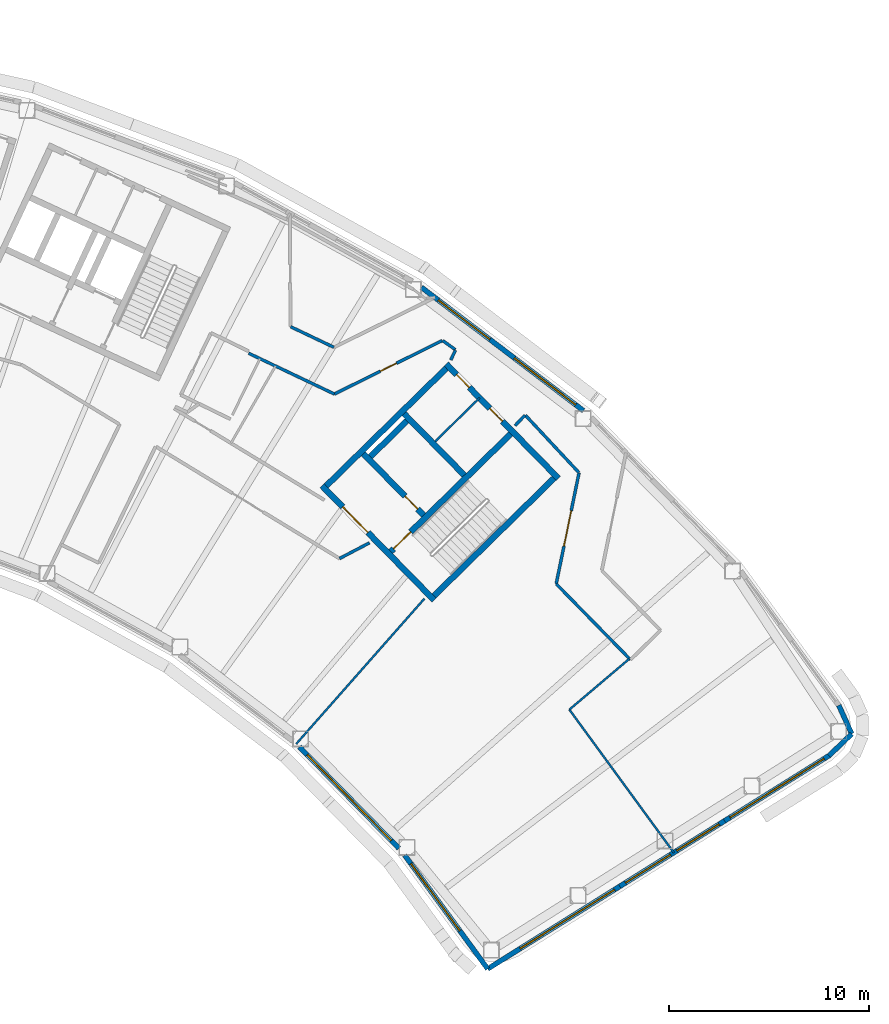
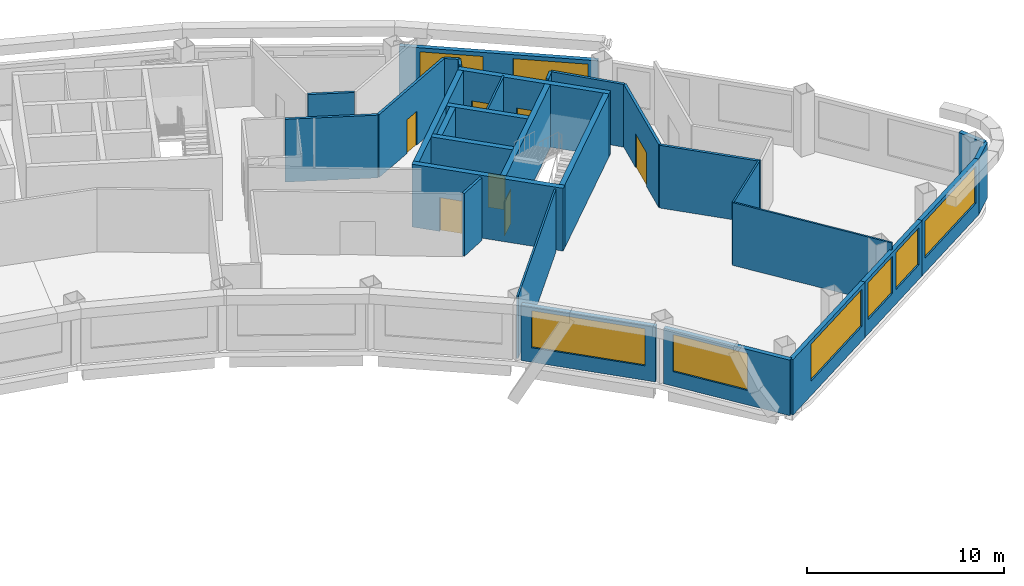
# One storey, part 8 of 13: 30 walls, 8 windows, 7 doors, 15 openings.
"""IFC4 building model written with IfcOpenShell, lengths in metres."""

from ifc_helpers import new_model, si_unit, direction, frame, frame_2d, origin, place, context, subcontext, project, spatial, rectangle, extrude, material, layer, layer_set, type_object, element, fill, save


model = new_model("IFC4")

# Units and contexts
model_context = context("Model", 3, precision=1e-05, world=origin(), true_north=direction((0.0, 1.0)))
body_context = subcontext(model_context, "Body", "Model", "MODEL_VIEW")
ifc_project = project(units=[si_unit("LENGTHUNIT", "METRE"), si_unit("AREAUNIT", "SQUARE_METRE"), si_unit("VOLUMEUNIT", "CUBIC_METRE"), si_unit("PLANEANGLEUNIT", "RADIAN"), si_unit("MASSUNIT", "GRAM", prefix="KILO")], contexts=[model_context])

# Site, building, storey
site_placement = place(None, origin())
site = spatial("IfcSite", under=ifc_project, at=site_placement, CompositionType="ELEMENT")
building_placement = place(site_placement, origin())
building = spatial("IfcBuilding", under=site, at=building_placement, Name="Tuul Gate Civic Tower", CompositionType="ELEMENT")
storey_placement = place(building_placement, frame((0.0, 0.0, 306.800048828125)))
storey = spatial("IfcBuildingStorey", under=building, at=storey_placement, Name="Level 69", CompositionType="ELEMENT", Elevation=306.800048828125)

# Wall, opening, door
ifc_material_1 = material(Name="Concrete C50/60", Category="concrete")
ifc_layer_1 = layer(ifc_material_1, 0.300048828125)
ifc_layer_set_1 = layer_set([ifc_layer_1], Name="Concrete C50/60")
wall_type_1 = type_object("IfcWallType", Name="Core wall C50/60", PredefinedType="SHEAR", material=ifc_layer_set_1)
wall_1_placement = place(storey_placement, frame((48.22509765625, -18.327880859375, 0.0), z_axis=(0.0, 0.0, 1.0), x_axis=(-0.700021979774, 0.714121297703, 0.0)))
wall_1 = element("IfcWall", 1, at=wall_1_placement, inside=storey, type_object=wall_type_1, Name="Core wall", PredefinedType="SHEAR", context=body_context, shape_type="SweptSolid", body=[
    extrude(rectangle(XDim=8.0, YDim=0.300048828125, at=frame_2d((4.0, 0.0))), origin(), (0.0, 0.0, 1.0), 3.89990234375),
])
opening_1_placement = place(wall_1_placement, frame((4.72509765625, 0.0, 0.0)))
opening_1 = element("IfcOpeningElement", 2, at=opening_1_placement, cuts=wall_1, Name="Opening LB-E1-LOBBY-1", PredefinedType="OPENING", context=body_context, shape_type="SweptSolid", body=[
    extrude(rectangle(XDim=1.800048828125, YDim=2.10009765625, at=frame_2d((0.89990234375, 1.050048828125))), frame((0.0, 0.16015625, 0.0), z_axis=(0.0, -1.0, 0.0), x_axis=(1.0, 0.0, 0.0)), (0.0, 0.0, 1.0), 0.320068359375),
])
ifc_material_2 = material(Name="Steel", Category="steel")
door_type_1 = type_object("IfcDoorType", Name="Lobby door", OperationType="DOUBLE_DOOR_SINGLE_SWING", PredefinedType="DOOR", material=ifc_material_2)
door_1_placement = place(opening_1_placement, frame((1.800048828125, 0.0, 0.0), z_axis=(0.0, 0.0, 1.0), x_axis=(-1.0, 0.0, 0.0)))
door_1 = element("IfcDoor", 3, at=door_1_placement, inside=storey, type_object=door_type_1, Name="Lobby door E1-LOBBY", OperationType="DOUBLE_DOOR_SINGLE_SWING", OverallHeight=2.10009765625, OverallWidth=1.800048828125, PredefinedType="DOOR", context=body_context, shape_type="SweptSolid", body=[
    extrude(rectangle(XDim=1.800048828125, YDim=2.10009765625, at=frame_2d((0.900146484375, 1.050048828125))), frame((0.0, 0.02490234375, 0.0), z_axis=(0.0, -1.0, 0.0), x_axis=(1.0, 0.0, 0.0)), (0.0, 0.0, 1.0), 0.050048828125),
])
fill(opening_1, door_1)

wall_2_placement = place(storey_placement, frame((47.701904296875, -14.079833984375, 0.0), z_axis=(0.0, 0.0, 1.0), x_axis=(-0.700002721075, 0.714140175657, 0.0)))
wall_2 = element("IfcWall", 4, at=wall_2_placement, inside=storey, type_object=wall_type_1, Name="Core wall", PredefinedType="SHEAR", context=body_context, shape_type="SweptSolid", body=[
    extrude(rectangle(XDim=4.300048828125, YDim=0.300048828125, at=frame_2d((2.14990234375, 0.0))), origin(), (0.0, 0.0, 1.0), 3.89990234375),
])
opening_2_placement = place(wall_2_placement, frame((0.425048828125, 0.0, 0.0)))
opening_2 = element("IfcOpeningElement", 5, at=opening_2_placement, cuts=wall_2, Name="Opening FB-E1A1", PredefinedType="OPENING", context=body_context, shape_type="SweptSolid", body=[
    extrude(rectangle(XDim=0.89990234375, YDim=2.10009765625, at=frame_2d((0.449951171875, 1.050048828125))), frame((0.0, 0.16015625, 0.0), z_axis=(0.0, -1.0, 0.0), x_axis=(1.0, 0.0, 0.0)), (0.0, 0.0, 1.0), 0.320068359375),
])
ifc_material_3 = material(Name="Steel", Category="steel")
door_type_2 = type_object("IfcDoorType", Name="Store door", OperationType="NOTDEFINED", PredefinedType="DOOR", material=ifc_material_3)
door_2_placement = place(opening_2_placement, frame((0.89990234375, 0.0, 0.0), z_axis=(0.0, 0.0, 1.0), x_axis=(-1.0, 0.0, 0.0)))
door_2 = element("IfcDoor", 6, at=door_2_placement, inside=storey, type_object=door_type_2, Name="Store door E1A1", OperationType="SINGLE_SWING_RIGHT", OverallHeight=2.10009765625, OverallWidth=0.89990234375, PredefinedType="DOOR", context=body_context, shape_type="SweptSolid", body=[
    extrude(rectangle(XDim=0.89990234375, YDim=2.10009765625, at=frame_2d((0.449951171875, 1.050048828125))), frame((0.0, 0.02490234375, 0.0), z_axis=(0.0, -1.0, 0.0), x_axis=(1.0, 0.0, 0.0)), (0.0, 0.0, 1.0), 0.050048828125),
])
fill(opening_2, door_2)

# Wall
wall_3_placement = place(storey_placement, frame((49.737060546875, -12.0849609375, 0.0), z_axis=(0.0, 0.0, 1.0), x_axis=(-0.700002721075, 0.714140175657, 0.0)))
element("IfcWall", 7, at=wall_3_placement, inside=storey, type_object=wall_type_1, Name="Core wall", PredefinedType="SHEAR", context=body_context, shape_type="SweptSolid", body=[
    extrude(rectangle(XDim=4.300048828125, YDim=0.300048828125, at=frame_2d((2.14990234375, 0.0))), origin(), (0.0, 0.0, 1.0), 3.89990234375),
])

# Wall, openings, doors
wall_4_placement = place(storey_placement, frame((54.43798828125, -12.23779296875, 0.0), z_axis=(0.0, 0.0, 1.0), x_axis=(-0.700021979774, 0.714121297703, 0.0)))
wall_4 = element("IfcWall", 8, at=wall_4_placement, inside=storey, type_object=wall_type_1, Name="Core wall", PredefinedType="SHEAR", context=body_context, shape_type="SweptSolid", body=[
    extrude(rectangle(XDim=8.0, YDim=0.300048828125, at=frame_2d((4.0, 0.0))), origin(), (0.0, 0.0, 1.0), 3.89990234375),
])
opening_3_placement = place(wall_4_placement, frame((3.987548828125, 0.0, 0.0)))
opening_3 = element("IfcOpeningElement", 9, at=opening_3_placement, cuts=wall_4, Name="Opening Z-D16", PredefinedType="OPENING", context=body_context, shape_type="SweptSolid", body=[
    extrude(rectangle(XDim=0.89990234375, YDim=2.10009765625, at=frame_2d((0.449951171875, 1.050048828125))), frame((0.0, 0.16015625, 0.0), z_axis=(0.0, -1.0, 0.0), x_axis=(1.0, 0.0, 0.0)), (0.0, 0.0, 1.0), 0.320068359375),
])
opening_4_placement = place(wall_4_placement, frame((6.362548828125, 0.0, 0.0)))
opening_4 = element("IfcOpeningElement", 10, at=opening_4_placement, cuts=wall_4, Name="Opening Z-D17", PredefinedType="OPENING", context=body_context, shape_type="SweptSolid", body=[
    extrude(rectangle(XDim=0.89990234375, YDim=2.10009765625, at=frame_2d((0.449951171875, 1.050048828125))), frame((0.0, 0.16015625, 0.0), z_axis=(0.0, -1.0, 0.0), x_axis=(1.0, 0.0, 0.0)), (0.0, 0.0, 1.0), 0.320068359375),
])
ifc_material_4 = material(Name="Timber door leaf", Category="wood")
door_type_3 = type_object("IfcDoorType", Name="Door D09", OperationType="NOTDEFINED", PredefinedType="DOOR", material=ifc_material_4)
door_3_placement = place(opening_3_placement, origin())
door_3 = element("IfcDoor", 11, at=door_3_placement, inside=storey, type_object=door_type_3, Name="Door Z-D16", OperationType="SINGLE_SWING_LEFT", OverallHeight=2.10009765625, OverallWidth=0.89990234375, PredefinedType="DOOR", context=body_context, shape_type="SweptSolid", body=[
    extrude(rectangle(XDim=0.89990234375, YDim=2.10009765625, at=frame_2d((0.449951171875, 1.050048828125))), frame((0.0, 0.02490234375, 0.0), z_axis=(0.0, -1.0, 0.0), x_axis=(1.0, 0.0, 0.0)), (0.0, 0.0, 1.0), 0.050048828125),
])
fill(opening_3, door_3)
door_4_placement = place(opening_4_placement, origin())
door_4 = element("IfcDoor", 12, at=door_4_placement, inside=storey, type_object=door_type_3, Name="Door Z-D17", OperationType="SINGLE_SWING_LEFT", OverallHeight=2.10009765625, OverallWidth=0.89990234375, PredefinedType="DOOR", context=body_context, shape_type="SweptSolid", body=[
    extrude(rectangle(XDim=0.89990234375, YDim=2.10009765625, at=frame_2d((0.449951171875, 1.050048828125))), frame((0.0, 0.02490234375, 0.0), z_axis=(0.0, -1.0, 0.0), x_axis=(1.0, 0.0, 0.0)), (0.0, 0.0, 1.0), 0.050048828125),
])
fill(opening_4, door_4)

# Wall
wall_5_placement = place(storey_placement, frame((48.227294921875, -18.115966796875, 0.0), z_axis=(0.0, 0.0, 1.0), x_axis=(0.714105315431, 0.700038283577, 0.0)))
element("IfcWall", 13, at=wall_5_placement, inside=storey, type_object=wall_type_1, Name="Core wall", PredefinedType="SHEAR", context=body_context, shape_type="SweptSolid", body=[
    extrude(rectangle(XDim=8.400146484375, YDim=0.300048828125, at=frame_2d((4.2001953125, 0.0))), origin(), (0.0, 0.0, 1.0), 3.89990234375),
])

# Wall, opening, door
wall_6_placement = place(storey_placement, frame((46.05712890625, -15.902099609375, 0.0), z_axis=(0.0, 0.0, 1.0), x_axis=(0.714134086973, 0.700008932674, 0.0)))
wall_6 = element("IfcWall", 14, at=wall_6_placement, inside=storey, type_object=wall_type_1, Name="Core wall", PredefinedType="SHEAR", context=body_context, shape_type="SweptSolid", body=[
    extrude(rectangle(XDim=8.400146484375, YDim=0.300048828125, at=frame_2d((4.2001953125, 0.0))), origin(), (0.0, 0.0, 1.0), 3.89990234375),
])
opening_5_placement = place(wall_6_placement, frame((0.199951171875, 0.0, 0.0)))
opening_5 = element("IfcOpeningElement", 15, at=opening_5_placement, cuts=wall_6, Name="Opening SD-ST-3", PredefinedType="OPENING", context=body_context, shape_type="SweptSolid", body=[
    extrude(rectangle(XDim=1.199951171875, YDim=2.10009765625, at=frame_2d((0.60009765625, 1.050048828125))), frame((0.0, 0.16015625, 0.0), z_axis=(0.0, -1.0, 0.0), x_axis=(1.0, 0.0, 0.0)), (0.0, 0.0, 1.0), 0.320068359375),
])
ifc_material_5 = material(Name="Steel", Category="steel")
door_type_4 = type_object("IfcDoorType", Name="Stair door", OperationType="NOTDEFINED", PredefinedType="DOOR", material=ifc_material_5)
door_5_placement = place(opening_5_placement, origin())
door_5 = element("IfcDoor", 16, at=door_5_placement, inside=storey, type_object=door_type_4, Name="Stair door ST-3", OperationType="SINGLE_SWING_LEFT", OverallHeight=2.10009765625, OverallWidth=1.199951171875, PredefinedType="DOOR", context=body_context, shape_type="SweptSolid", body=[
    extrude(rectangle(XDim=1.199951171875, YDim=2.10009765625, at=frame_2d((0.60009765625, 1.050048828125))), frame((0.0, 0.02490234375, 0.0), z_axis=(0.0, -1.0, 0.0), x_axis=(1.0, 0.0, 0.0)), (0.0, 0.0, 1.0), 0.050048828125),
])
fill(opening_5, door_5)

# Walls
wall_7_placement = place(storey_placement, frame((45.0439453125, -11.154052734375, 0.0), z_axis=(0.0, 0.0, 1.0), x_axis=(0.714108498262, 0.700035036773, 0.0)))
element("IfcWall", 17, at=wall_7_placement, inside=storey, type_object=wall_type_1, Name="Core wall", PredefinedType="SHEAR", context=body_context, shape_type="SweptSolid", body=[
    extrude(rectangle(XDim=2.550048828125, YDim=0.300048828125, at=frame_2d((1.27490234375, 0.0))), origin(), (0.0, 0.0, 1.0), 3.89990234375),
])
wall_8_placement = place(storey_placement, frame((42.837158203125, -12.616943359375, 0.0), z_axis=(0.0, 0.0, 1.0), x_axis=(0.714119844755, 0.700023461983, 0.0)))
element("IfcWall", 18, at=wall_8_placement, inside=storey, type_object=wall_type_1, Name="Core wall", PredefinedType="SHEAR", context=body_context, shape_type="SweptSolid", body=[
    extrude(rectangle(XDim=8.39990234375, YDim=0.300048828125, at=frame_2d((4.199951171875, 0.0))), origin(), (0.0, 0.0, 1.0), 3.89990234375),
])
ifc_material_6 = material(Name="Gypsum board partition")
ifc_layer_2 = layer(ifc_material_6, 0.14990234375)
ifc_layer_set_2 = layer_set([ifc_layer_2], Name="Gypsum board partition")
wall_type_2 = type_object("IfcWallType", Name="Corridor wall P150", PredefinedType="PARTITIONING", material=ifc_layer_set_2)
wall_9_placement = place(storey_placement, frame((54.33251953125, -17.521240234375, 0.0), z_axis=(0.0, 0.0, 1.0), x_axis=(0.700016264069, -0.714126900515, 0.0)))
element("IfcWall", 19, at=wall_9_placement, inside=storey, type_object=wall_type_2, Name="p003", PredefinedType="PARTITIONING", context=body_context, shape_type="SweptSolid", body=[
    extrude(rectangle(XDim=5.311767578125, YDim=0.14990234375, at=frame_2d((2.65576171875, 0.0))), origin(), (0.0, 0.0, 1.0), 3.89990234375),
])
wall_10_placement = place(storey_placement, frame((41.05419921875, -4.66064453125, 0.0), z_axis=(0.0, 0.0, 1.0), x_axis=(0.90300403406, -0.429632068718, 0.0)))
element("IfcWall", 20, at=wall_10_placement, inside=storey, type_object=wall_type_2, Name="p009", PredefinedType="PARTITIONING", context=body_context, shape_type="SweptSolid", body=[
    extrude(rectangle(XDim=2.388916015625, YDim=0.14990234375, at=frame_2d((1.1943359375, 0.0))), origin(), (0.0, 0.0, 1.0), 3.89990234375),
])
wall_11_placement = place(storey_placement, frame((52.277099609375, -9.60498046875, 0.0), z_axis=(0.0, 0.0, 1.0), x_axis=(0.690092053867, 0.723721601992, 0.0)))
element("IfcWall", 21, at=wall_11_placement, inside=storey, type_object=wall_type_2, Name="p025", PredefinedType="PARTITIONING", context=body_context, shape_type="SweptSolid", body=[
    extrude(rectangle(XDim=0.71142578125, YDim=0.14990234375, at=frame_2d((0.355712890625, 0.0))), origin(), (0.0, 0.0, 1.0), 3.89990234375),
])
wall_12_placement = place(storey_placement, frame((52.793701171875, -9.0869140625, 0.0), z_axis=(0.0, 0.0, 1.0), x_axis=(0.682154101609, -0.731208439268, 0.0)))
element("IfcWall", 22, at=wall_12_placement, inside=storey, type_object=wall_type_2, Name="p026", PredefinedType="PARTITIONING", context=body_context, shape_type="SweptSolid", body=[
    extrude(rectangle(XDim=3.921875, YDim=0.14990234375, at=frame_2d((1.9609375, 0.0))), origin(), (0.0, 0.0, 1.0), 3.89990234375),
])

# Wall, opening, door
wall_13_placement = place(storey_placement, frame((54.33251953125, -17.521240234375, 0.0), z_axis=(0.0, 0.0, 1.0), x_axis=(0.201533742517, 0.979481572378, 0.0)))
wall_13 = element("IfcWall", 23, at=wall_13_placement, inside=storey, type_object=wall_type_2, Name="p027", PredefinedType="PARTITIONING", context=body_context, shape_type="SweptSolid", body=[
    extrude(rectangle(XDim=5.66455078125, YDim=0.14990234375, at=frame_2d((2.832275390625, 0.0))), origin(), (0.0, 0.0, 1.0), 3.89990234375),
])
opening_6_placement = place(wall_13_placement, frame((1.932373046875, 0.0, 0.0)))
opening_6 = element("IfcOpeningElement", 24, at=opening_6_placement, cuts=wall_13, Name="Opening Z-D05", PredefinedType="OPENING", context=body_context, shape_type="SweptSolid", body=[
    extrude(rectangle(XDim=1.800048828125, YDim=2.10009765625, at=frame_2d((0.89990234375, 1.050048828125))), frame((0.0, 0.0849609375, 0.0), z_axis=(0.0, -1.0, 0.0), x_axis=(1.0, 0.0, 0.0)), (0.0, 0.0, 1.0), 0.169921875),
])
ifc_material_7 = material(Name="Timber door leaf, double", Category="wood")
door_type_5 = type_object("IfcDoorType", Name="Door D18", OperationType="DOUBLE_DOOR_SINGLE_SWING", PredefinedType="DOOR", material=ifc_material_7)
door_6_placement = place(opening_6_placement, origin())
door_6 = element("IfcDoor", 25, at=door_6_placement, inside=storey, type_object=door_type_5, Name="Door Z-D05", OperationType="DOUBLE_DOOR_SINGLE_SWING", OverallHeight=2.10009765625, OverallWidth=1.800048828125, PredefinedType="DOOR", context=body_context, shape_type="SweptSolid", body=[
    extrude(rectangle(XDim=1.800048828125, YDim=2.10009765625, at=frame_2d((0.89990234375, 1.050048828125))), frame((0.0, 0.02490234375, 0.0), z_axis=(0.0, -1.0, 0.0), x_axis=(1.0, 0.0, 0.0)), (0.0, 0.0, 1.0), 0.050048828125),
])
fill(opening_6, door_6)

# Walls
wall_14_placement = place(storey_placement, frame((43.5, -16.251708984375, 0.0), z_axis=(0.0, 0.0, 1.0), x_axis=(0.885571552958, 0.464502986634, 0.0)))
element("IfcWall", 26, at=wall_14_placement, inside=storey, type_object=wall_type_2, Name="p035", PredefinedType="PARTITIONING", context=body_context, shape_type="SweptSolid", body=[
    extrude(rectangle(XDim=1.69189453125, YDim=0.14990234375, at=frame_2d((0.845947265625, 0.0))), origin(), (0.0, 0.0, 1.0), 3.89990234375),
])
wall_15_placement = place(storey_placement, frame((38.94873046875, -5.984619140625, 0.0), z_axis=(0.0, 0.0, 1.0), x_axis=(0.903011478969, -0.429616420602, 0.0)))
element("IfcWall", 27, at=wall_15_placement, inside=storey, type_object=wall_type_2, Name="p072", PredefinedType="PARTITIONING", context=body_context, shape_type="SweptSolid", body=[
    extrude(rectangle(XDim=4.75146484375, YDim=0.14990234375, at=frame_2d((2.375732421875, 0.0))), origin(), (0.0, 0.0, 1.0), 3.89990234375),
])

# Wall, opening, door
wall_16_placement = place(storey_placement, frame((43.2392578125, -8.02587890625, 0.0), z_axis=(0.0, 0.0, 1.0), x_axis=(0.896073728546, 0.443905252289, 0.0)))
wall_16 = element("IfcWall", 28, at=wall_16_placement, inside=storey, type_object=wall_type_2, Name="p073", PredefinedType="PARTITIONING", context=body_context, shape_type="SweptSolid", body=[
    extrude(rectangle(XDim=6.02734375, YDim=0.14990234375, at=frame_2d((3.013671875, 0.0))), origin(), (0.0, 0.0, 1.0), 3.89990234375),
])
opening_7_placement = place(wall_16_placement, frame((2.563720703125, 0.0, 0.0)))
opening_7 = element("IfcOpeningElement", 29, at=opening_7_placement, cuts=wall_16, Name="Opening Z-D11", PredefinedType="OPENING", context=body_context, shape_type="SweptSolid", body=[
    extrude(rectangle(XDim=0.89990234375, YDim=2.10009765625, at=frame_2d((0.449951171875, 1.050048828125))), frame((0.0, 0.0849609375, 0.0), z_axis=(0.0, -1.0, 0.0), x_axis=(1.0, 0.0, 0.0)), (0.0, 0.0, 1.0), 0.169921875),
])
door_7_placement = place(opening_7_placement, frame((0.89990234375, 0.0, 0.0), z_axis=(0.0, 0.0, 1.0), x_axis=(-1.0, 0.0, 0.0)))
door_7 = element("IfcDoor", 30, at=door_7_placement, inside=storey, type_object=door_type_3, Name="Door Z-D11", OperationType="SINGLE_SWING_LEFT", OverallHeight=2.10009765625, OverallWidth=0.89990234375, PredefinedType="DOOR", context=body_context, shape_type="SweptSolid", body=[
    extrude(rectangle(XDim=0.89990234375, YDim=2.10009765625, at=frame_2d((0.449951171875, 1.050048828125))), frame((0.0, 0.02490234375, 0.0), z_axis=(0.0, -1.0, 0.0), x_axis=(1.0, 0.0, 0.0)), (0.0, 0.0, 1.0), 0.050048828125),
])
fill(opening_7, door_7)

# Walls
wall_17_placement = place(storey_placement, frame((48.658203125, -5.353515625, 0.0), z_axis=(0.0, 0.0, 1.0), x_axis=(0.811093197779, -0.584916938135, 0.0)))
element("IfcWall", 31, at=wall_17_placement, inside=storey, type_object=wall_type_2, Name="p074", PredefinedType="PARTITIONING", context=body_context, shape_type="SweptSolid", body=[
    extrude(rectangle(XDim=0.777099609375, YDim=0.14990234375, at=frame_2d((0.388671875, 0.0))), origin(), (0.0, 0.0, 1.0), 3.89990234375),
])
wall_18_placement = place(storey_placement, frame((49.062255859375, -6.325439453125, 0.0), z_axis=(0.0, 0.0, 1.0), x_axis=(0.427912804377, 0.903820021824, 0.0)))
element("IfcWall", 32, at=wall_18_placement, inside=storey, type_object=wall_type_2, Name="p075", PredefinedType="PARTITIONING", context=body_context, shape_type="SweptSolid", body=[
    extrude(rectangle(XDim=0.544189453125, YDim=0.14990234375, at=frame_2d((0.27197265625, 0.0))), origin(), (0.0, 0.0, 1.0), 3.89990234375),
])
ifc_material_8 = material(Name="Precast concrete C40/50", Category="concrete")
ifc_layer_3 = layer(ifc_material_8, 0.25)
ifc_layer_set_3 = layer_set([ifc_layer_3], Name="Precast concrete C40/50")
wall_type_3 = type_object("IfcWallType", Name="External wall", PredefinedType="STANDARD", material=ifc_layer_set_3)
wall_19_placement = place(storey_placement, frame((67.978515625, -26.109619140625, 0.0), z_axis=(0.0, 0.0, 1.0), x_axis=(0.722172557321, 0.691712944402, 0.0)))
element("IfcWall", 33, at=wall_19_placement, inside=storey, type_object=wall_type_3, Name="External wall", PredefinedType="STANDARD", context=body_context, shape_type="SweptSolid", body=[
    extrude(rectangle(XDim=1.571044921875, YDim=0.25, at=frame_2d((0.78564453125, 0.0))), origin(), (0.0, 0.0, 1.0), 3.449951171875),
])
wall_20_placement = place(storey_placement, frame((69.113037109375, -25.02294921875, 0.0), z_axis=(0.0, 0.0, 1.0), x_axis=(-0.412385905797, 0.9110092561, 0.0)))
element("IfcWall", 34, at=wall_20_placement, inside=storey, type_object=wall_type_3, Name="External wall", PredefinedType="STANDARD", context=body_context, shape_type="SweptSolid", body=[
    extrude(rectangle(XDim=1.5712890625, YDim=0.25, at=frame_2d((0.78564453125, 0.0))), origin(), (0.0, 0.0, 1.0), 3.449951171875),
])

# Wall, openings, windows
wall_21_placement = place(storey_placement, frame((55.6962890625, -8.85888671875, 0.0), z_axis=(0.0, 0.0, 1.0), x_axis=(-0.795610476584, 0.605808525485, 0.0)))
wall_21 = element("IfcWall", 35, at=wall_21_placement, inside=storey, type_object=wall_type_3, Name="External wall", PredefinedType="STANDARD", context=body_context, shape_type="SweptSolid", body=[
    extrude(rectangle(XDim=10.1875, YDim=0.25, at=frame_2d((5.09375, 0.0))), origin(), (0.0, 0.0, 1.0), 3.449951171875),
])
opening_8_placement = place(wall_21_placement, frame((0.494140625, 0.0, 0.89990234375)))
opening_8 = element("IfcOpeningElement", 36, at=opening_8_placement, cuts=wall_21, Name="Opening W22", PredefinedType="OPENING", context=body_context, shape_type="SweptSolid", body=[
    extrude(rectangle(XDim=3.85009765625, YDim=2.300048828125, at=frame_2d((1.925048828125, 1.14990234375))), frame((0.0, 0.135009765625, 0.0), z_axis=(0.0, -1.0, 0.0), x_axis=(1.0, 0.0, 0.0)), (0.0, 0.0, 1.0), 0.27001953125),
])
opening_9_placement = place(wall_21_placement, frame((5.880859375, 0.0, 0.89990234375)))
opening_9 = element("IfcOpeningElement", 37, at=opening_9_placement, cuts=wall_21, Name="Opening W72", PredefinedType="OPENING", context=body_context, shape_type="SweptSolid", body=[
    extrude(rectangle(XDim=3.25, YDim=2.300048828125, at=frame_2d((1.625, 1.14990234375))), frame((0.0, 0.135009765625, 0.0), z_axis=(0.0, -1.0, 0.0), x_axis=(1.0, 0.0, 0.0)), (0.0, 0.0, 1.0), 0.27001953125),
])
ifc_material_9 = material(Name="Glass", Category="glass")
window_type_1 = type_object("IfcWindowType", Name="Window 3250 x 2300", PartitioningType="SINGLE_PANEL", PredefinedType="WINDOW", material=ifc_material_9)
window_1_placement = place(opening_9_placement, origin())
window_1 = element("IfcWindow", 38, at=window_1_placement, inside=storey, type_object=window_type_1, Name="Window", OverallHeight=2.300048828125, OverallWidth=3.25, PartitioningType="SINGLE_PANEL", PredefinedType="WINDOW", context=body_context, shape_type="SweptSolid", body=[
    extrude(rectangle(XDim=3.25, YDim=2.300048828125, at=frame_2d((1.625, 1.14990234375))), frame((0.0, 0.030029296875, 0.0), z_axis=(0.0, -1.0, 0.0), x_axis=(1.0, 0.0, 0.0)), (0.0, 0.0, 1.0), 0.06005859375),
])
fill(opening_9, window_1)
ifc_material_10 = material(Name="Glass", Category="glass")
window_type_2 = type_object("IfcWindowType", Name="Window W22 3850 x 2300", PartitioningType="SINGLE_PANEL", PredefinedType="WINDOW", material=ifc_material_10)
window_2_placement = place(opening_8_placement, origin())
window_2 = element("IfcWindow", 39, at=window_2_placement, inside=storey, type_object=window_type_2, Name="Window", OverallHeight=2.300048828125, OverallWidth=3.85009765625, PartitioningType="SINGLE_PANEL", PredefinedType="WINDOW", context=body_context, shape_type="SweptSolid", body=[
    extrude(rectangle(XDim=3.85009765625, YDim=2.300048828125, at=frame_2d((1.925048828125, 1.14990234375))), frame((0.0, 0.030029296875, 0.0), z_axis=(0.0, -1.0, 0.0), x_axis=(1.0, 0.0, 0.0)), (0.0, 0.0, 1.0), 0.06005859375),
])
fill(opening_8, window_2)

# Wall, opening, window
wall_22_placement = place(storey_placement, frame((41.49072265625, -25.6708984375, 0.0), z_axis=(0.0, 0.0, 1.0), x_axis=(0.700033997015, -0.714109517528, 0.0)))
wall_22 = element("IfcWall", 40, at=wall_22_placement, inside=storey, type_object=wall_type_3, Name="External wall", PredefinedType="STANDARD", context=body_context, shape_type="SweptSolid", body=[
    extrude(rectangle(XDim=7.111572265625, YDim=0.25, at=frame_2d((3.5556640625, 0.0))), origin(), (0.0, 0.0, 1.0), 3.449951171875),
])
opening_10_placement = place(wall_22_placement, frame((0.555419921875, 0.0, 0.89990234375)))
opening_10 = element("IfcOpeningElement", 41, at=opening_10_placement, cuts=wall_22, Name="Opening W26", PredefinedType="OPENING", context=body_context, shape_type="SweptSolid", body=[
    extrude(rectangle(XDim=6.0, YDim=2.300048828125, at=frame_2d((3.0, 1.14990234375))), frame((0.0, 0.135009765625, 0.0), z_axis=(0.0, -1.0, 0.0), x_axis=(1.0, 0.0, 0.0)), (0.0, 0.0, 1.0), 0.27001953125),
])
ifc_material_11 = material(Name="Glass", Category="glass")
window_type_3 = type_object("IfcWindowType", Name="Window W26 6000 x 2300", PartitioningType="SINGLE_PANEL", PredefinedType="WINDOW", material=ifc_material_11)
window_3_placement = place(opening_10_placement, origin())
window_3 = element("IfcWindow", 42, at=window_3_placement, inside=storey, type_object=window_type_3, Name="Window", OverallHeight=2.300048828125, OverallWidth=6.0, PartitioningType="SINGLE_PANEL", PredefinedType="WINDOW", context=body_context, shape_type="SweptSolid", body=[
    extrude(rectangle(XDim=6.0, YDim=2.300048828125, at=frame_2d((3.0, 1.14990234375))), frame((0.0, 0.030029296875, 0.0), z_axis=(0.0, -1.0, 0.0), x_axis=(1.0, 0.0, 0.0)), (0.0, 0.0, 1.0), 0.06005859375),
])
fill(opening_10, window_3)

wall_23_placement = place(storey_placement, frame((46.7587890625, -31.093017578125, 0.0), z_axis=(0.0, 0.0, 1.0), x_axis=(0.589839929294, -0.807520190343, 0.0)))
wall_23 = element("IfcWall", 43, at=wall_23_placement, inside=storey, type_object=wall_type_3, Name="External wall", PredefinedType="STANDARD", context=body_context, shape_type="SweptSolid", body=[
    extrude(rectangle(XDim=7.034423828125, YDim=0.25, at=frame_2d((3.51708984375, 0.0))), origin(), (0.0, 0.0, 1.0), 3.449951171875),
])
opening_11_placement = place(wall_23_placement, frame((0.52783203125, 0.0, 0.89990234375)))
opening_11 = element("IfcOpeningElement", 44, at=opening_11_placement, cuts=wall_23, Name="Opening W25", PredefinedType="OPENING", context=body_context, shape_type="SweptSolid", body=[
    extrude(rectangle(XDim=4.14990234375, YDim=2.300048828125, at=frame_2d((2.074951171875, 1.14990234375))), frame((0.0, 0.135009765625, 0.0), z_axis=(0.0, -1.0, 0.0), x_axis=(1.0, 0.0, 0.0)), (0.0, 0.0, 1.0), 0.27001953125),
])
ifc_material_12 = material(Name="Glass", Category="glass")
window_type_4 = type_object("IfcWindowType", Name="Window W25 4150 x 2300", PartitioningType="SINGLE_PANEL", PredefinedType="WINDOW", material=ifc_material_12)
window_4_placement = place(opening_11_placement, origin())
window_4 = element("IfcWindow", 45, at=window_4_placement, inside=storey, type_object=window_type_4, Name="Window", OverallHeight=2.300048828125, OverallWidth=4.14990234375, PartitioningType="SINGLE_PANEL", PredefinedType="WINDOW", context=body_context, shape_type="SweptSolid", body=[
    extrude(rectangle(XDim=4.14990234375, YDim=2.300048828125, at=frame_2d((2.074951171875, 1.14990234375))), frame((0.0, 0.030029296875, 0.0), z_axis=(0.0, -1.0, 0.0), x_axis=(1.0, 0.0, 0.0)), (0.0, 0.0, 1.0), 0.06005859375),
])
fill(opening_11, window_4)

wall_24_placement = place(storey_placement, frame((50.907958984375, -36.7734375, 0.0), z_axis=(0.0, 0.0, 1.0), x_axis=(0.848052898081, 0.529911579471, 0.0)))
wall_24 = element("IfcWall", 46, at=wall_24_placement, inside=storey, type_object=wall_type_3, Name="External wall", PredefinedType="STANDARD", context=body_context, shape_type="SweptSolid", body=[
    extrude(rectangle(XDim=7.78759765625, YDim=0.25, at=frame_2d((3.893798828125, 0.0))), origin(), (0.0, 0.0, 1.0), 3.449951171875),
])
opening_12_placement = place(wall_24_placement, frame((1.921142578125, 0.0, 0.89990234375)))
opening_12 = element("IfcOpeningElement", 47, at=opening_12_placement, cuts=wall_24, Name="Opening W24", PredefinedType="OPENING", context=body_context, shape_type="SweptSolid", body=[
    extrude(rectangle(XDim=5.550048828125, YDim=2.300048828125, at=frame_2d((2.77490234375, 1.14990234375))), frame((0.0, 0.135009765625, 0.0), z_axis=(0.0, -1.0, 0.0), x_axis=(1.0, 0.0, 0.0)), (0.0, 0.0, 1.0), 0.27001953125),
])
ifc_material_13 = material(Name="Glass", Category="glass")
window_type_5 = type_object("IfcWindowType", Name="Window W24 5550 x 2300", PartitioningType="SINGLE_PANEL", PredefinedType="WINDOW", material=ifc_material_13)
window_5_placement = place(opening_12_placement, origin())
window_5 = element("IfcWindow", 48, at=window_5_placement, inside=storey, type_object=window_type_5, Name="Window", OverallHeight=2.300048828125, OverallWidth=5.550048828125, PartitioningType="SINGLE_PANEL", PredefinedType="WINDOW", context=body_context, shape_type="SweptSolid", body=[
    extrude(rectangle(XDim=5.550048828125, YDim=2.300048828125, at=frame_2d((2.77490234375, 1.14990234375))), frame((0.0, 0.030029296875, 0.0), z_axis=(0.0, -1.0, 0.0), x_axis=(1.0, 0.0, 0.0)), (0.0, 0.0, 1.0), 0.06005859375),
])
fill(opening_12, window_5)

# Wall, openings, windows
wall_25_placement = place(storey_placement, frame((57.51220703125, -32.646728515625, 0.0), z_axis=(0.0, 0.0, 1.0), x_axis=(0.848042669488, 0.529927948619, 0.0)))
wall_25 = element("IfcWall", 49, at=wall_25_placement, inside=storey, type_object=wall_type_3, Name="External wall", PredefinedType="STANDARD", context=body_context, shape_type="SweptSolid", body=[
    extrude(rectangle(XDim=6.1826171875, YDim=0.25, at=frame_2d((3.09130859375, 0.0))), origin(), (0.0, 0.0, 1.0), 3.449951171875),
])
opening_13_placement = place(wall_25_placement, frame((0.339111328125, 0.0, 0.89990234375)))
opening_13 = element("IfcOpeningElement", 50, at=opening_13_placement, cuts=wall_25, Name="Opening W37", PredefinedType="OPENING", context=body_context, shape_type="SweptSolid", body=[
    extrude(rectangle(XDim=2.64990234375, YDim=2.300048828125, at=frame_2d((1.324951171875, 1.14990234375))), frame((0.0, 0.135009765625, 0.0), z_axis=(0.0, -1.0, 0.0), x_axis=(1.0, 0.0, 0.0)), (0.0, 0.0, 1.0), 0.27001953125),
])
opening_14_placement = place(wall_25_placement, frame((3.3642578125, 0.0, 0.89990234375)))
opening_14 = element("IfcOpeningElement", 51, at=opening_14_placement, cuts=wall_25, Name="Opening W38", PredefinedType="OPENING", context=body_context, shape_type="SweptSolid", body=[
    extrude(rectangle(XDim=2.5, YDim=2.300048828125, at=frame_2d((1.25, 1.14990234375))), frame((0.0, 0.135009765625, 0.0), z_axis=(0.0, -1.0, 0.0), x_axis=(1.0, 0.0, 0.0)), (0.0, 0.0, 1.0), 0.27001953125),
])
ifc_material_14 = material(Name="Glass", Category="glass")
window_type_6 = type_object("IfcWindowType", Name="Window 2500 x 2300", PartitioningType="SINGLE_PANEL", PredefinedType="WINDOW", material=ifc_material_14)
window_6_placement = place(opening_14_placement, origin())
window_6 = element("IfcWindow", 52, at=window_6_placement, inside=storey, type_object=window_type_6, Name="Window", OverallHeight=2.300048828125, OverallWidth=2.5, PartitioningType="SINGLE_PANEL", PredefinedType="WINDOW", context=body_context, shape_type="SweptSolid", body=[
    extrude(rectangle(XDim=2.5, YDim=2.300048828125, at=frame_2d((1.25, 1.14990234375))), frame((0.0, 0.030029296875, 0.0), z_axis=(0.0, -1.0, 0.0), x_axis=(1.0, 0.0, 0.0)), (0.0, 0.0, 1.0), 0.06005859375),
])
fill(opening_14, window_6)
ifc_material_15 = material(Name="Glass", Category="glass")
window_type_7 = type_object("IfcWindowType", Name="Window 2650 x 2300", PartitioningType="SINGLE_PANEL", PredefinedType="WINDOW", material=ifc_material_15)
window_7_placement = place(opening_13_placement, origin())
window_7 = element("IfcWindow", 53, at=window_7_placement, inside=storey, type_object=window_type_7, Name="Window", OverallHeight=2.300048828125, OverallWidth=2.64990234375, PartitioningType="SINGLE_PANEL", PredefinedType="WINDOW", context=body_context, shape_type="SweptSolid", body=[
    extrude(rectangle(XDim=2.64990234375, YDim=2.300048828125, at=frame_2d((1.324951171875, 1.14990234375))), frame((0.0, 0.030029296875, 0.0), z_axis=(0.0, -1.0, 0.0), x_axis=(1.0, 0.0, 0.0)), (0.0, 0.0, 1.0), 0.06005859375),
])
fill(opening_13, window_7)

# Wall, opening, window
wall_26_placement = place(storey_placement, frame((62.75537109375, -29.370361328125, 0.0), z_axis=(0.0, 0.0, 1.0), x_axis=(0.848053758074, 0.529910203164, 0.0)))
wall_26 = element("IfcWall", 54, at=wall_26_placement, inside=storey, type_object=wall_type_3, Name="External wall", PredefinedType="STANDARD", context=body_context, shape_type="SweptSolid", body=[
    extrude(rectangle(XDim=6.182861328125, YDim=0.25, at=frame_2d((3.09130859375, 0.0))), origin(), (0.0, 0.0, 1.0), 3.449951171875),
])
opening_15_placement = place(wall_26_placement, frame((0.31640625, 0.0, 0.89990234375)))
opening_15 = element("IfcOpeningElement", 55, at=opening_15_placement, cuts=wall_26, Name="Opening W24", PredefinedType="OPENING", context=body_context, shape_type="SweptSolid", body=[
    extrude(rectangle(XDim=5.550048828125, YDim=2.300048828125, at=frame_2d((2.77490234375, 1.14990234375))), frame((0.0, 0.135009765625, 0.0), z_axis=(0.0, -1.0, 0.0), x_axis=(1.0, 0.0, 0.0)), (0.0, 0.0, 1.0), 0.27001953125),
])
window_8_placement = place(opening_15_placement, origin())
window_8 = element("IfcWindow", 56, at=window_8_placement, inside=storey, type_object=window_type_5, Name="Window", OverallHeight=2.300048828125, OverallWidth=5.550048828125, PartitioningType="SINGLE_PANEL", PredefinedType="WINDOW", context=body_context, shape_type="SweptSolid", body=[
    extrude(rectangle(XDim=5.550048828125, YDim=2.300048828125, at=frame_2d((2.77490234375, 1.14990234375))), frame((0.0, 0.030029296875, 0.0), z_axis=(0.0, -1.0, 0.0), x_axis=(1.0, 0.0, 0.0)), (0.0, 0.0, 1.0), 0.06005859375),
])
fill(opening_15, window_8)

# Walls
ifc_material_16 = material(Name="Gypsum board partition")
ifc_layer_4 = layer(ifc_material_16, 0.10009765625)
ifc_layer_set_4 = layer_set([ifc_layer_4], Name="Gypsum board partition")
wall_type_4 = type_object("IfcWallType", Name="Partition P100", PredefinedType="PARTITIONING", material=ifc_layer_set_4)
wall_27_placement = place(storey_placement, frame((54.9921875, -23.8076171875, 0.0), z_axis=(0.0, 0.0, 1.0), x_axis=(0.58981067372, -0.807541558786, 0.0)))
element("IfcWall", 57, at=wall_27_placement, inside=storey, type_object=wall_type_4, Name="p001", PredefinedType="PARTITIONING", context=body_context, shape_type="SweptSolid", body=[
    extrude(rectangle(XDim=8.859375, YDim=0.10009765625, at=frame_2d((4.4296875, 0.0))), origin(), (0.0, 0.0, 1.0), 3.89990234375),
])
wall_28_placement = place(storey_placement, frame((54.9921875, -23.8076171875, 0.0), z_axis=(0.0, 0.0, 1.0), x_axis=(0.762840684482, 0.646586490811, 0.0)))
element("IfcWall", 58, at=wall_28_placement, inside=storey, type_object=wall_type_4, Name="p002", PredefinedType="PARTITIONING", context=body_context, shape_type="SweptSolid", body=[
    extrude(rectangle(XDim=3.939697265625, YDim=0.10009765625, at=frame_2d((1.9697265625, 0.0))), origin(), (0.0, 0.0, 1.0), 3.89990234375),
])
wall_29_placement = place(storey_placement, frame((41.335693359375, -25.52001953125, 0.0), z_axis=(0.0, 0.0, 1.0), x_axis=(0.661670018481, 0.749795163124, 0.0)))
element("IfcWall", 59, at=wall_29_placement, inside=storey, type_object=wall_type_4, Name="p024", PredefinedType="PARTITIONING", context=body_context, shape_type="SweptSolid", body=[
    extrude(rectangle(XDim=9.6796875, YDim=0.10009765625, at=frame_2d((4.83984375, 0.0))), origin(), (0.0, 0.0, 1.0), 3.89990234375),
])
wall_30_placement = place(storey_placement, frame((48.28662109375, -10.390869140625, 0.0), z_axis=(0.0, 0.0, 1.0), x_axis=(0.714159293908, 0.699983216173, 0.0)))
element("IfcWall", 60, at=wall_30_placement, inside=storey, type_object=wall_type_4, Name="bE1-BAND-0", PredefinedType="PARTITIONING", context=body_context, shape_type="SweptSolid", body=[
    extrude(rectangle(XDim=3.099853515625, YDim=0.10009765625, at=frame_2d((1.5498046875, 0.0))), origin(), (0.0, 0.0, 1.0), 3.89990234375),
])

save(model, "model.ifc")
